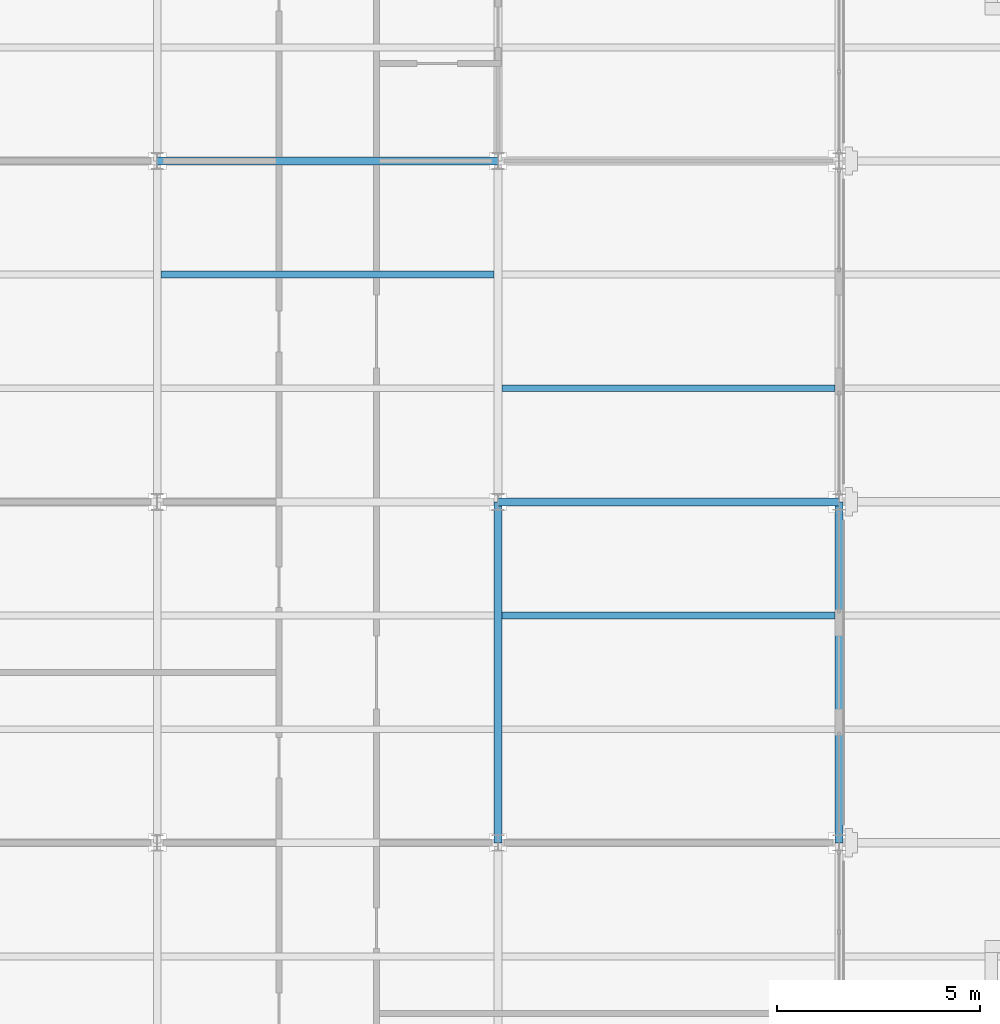
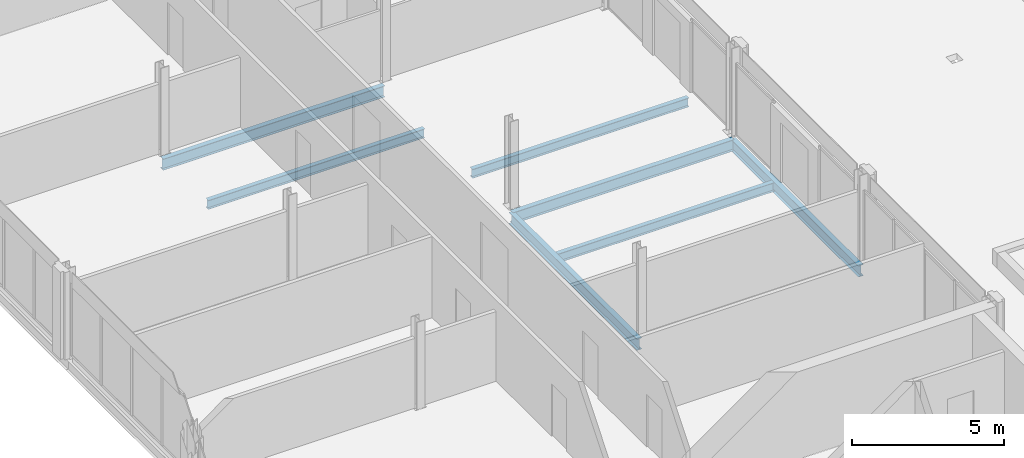
# One storey, part 15 of 32: 7 beams.
"""IFC4 building model written with IfcOpenShell, lengths in metres."""

import ifcopenshell
import ifcopenshell.guid

model = None  # the IFC model being written
_history = None  # IfcOwnerHistory: only IFC2X3 demands one
_inside = {}  # id of a spatial element -> (the spatial element, [elements in it])
_under = {}  # id of a project, library or spatial element -> (it, [spatial elements below it])
_declared = {}  # id of a project -> (the project, [libraries it declares])
_typed = {}  # id of a type object -> (the type object, [elements of that type])
_made_of = {}  # id of a material, layer set ... -> (it, [elements and type objects made of it])


def new_model(schema):
    """Start an empty IFC model of exactly this schema.

    Asked for "IFC4X3", IfcOpenShell would pick the latest addendum, in which some entities
    have other attributes; the version numbers below select the first issue.
    IFC2X3 requires an IfcOwnerHistory on every rooted entity: one is made here for all.
    """
    global model, _history
    if schema == "IFC4X3":
        model = ifcopenshell.file(schema_version=(4, 3, 0, 0))
    else:
        model = ifcopenshell.file(schema=schema)
    _inside.clear()
    _under.clear()
    _declared.clear()
    _typed.clear()
    _made_of.clear()
    _history = None
    if model.schema == "IFC2X3":
        org = make("IfcOrganization", Name="unknown")
        user = make(
            "IfcPersonAndOrganization",
            ThePerson=make("IfcPerson", FamilyName="unknown"),
            TheOrganization=org,
        )
        app = make(
            "IfcApplication",
            ApplicationDeveloper=org,
            Version="unknown",
            ApplicationFullName="unknown",
            ApplicationIdentifier="unknown",
        )
        _history = make(
            "IfcOwnerHistory",
            OwningUser=user,
            OwningApplication=app,
            ChangeAction="ADDED",
            CreationDate=0,
        )
    return model


def make(cls, **values):
    """One entity of the class cls with the attributes given. An attribute that is None is left unset."""
    return model.create_entity(
        cls, **{name: value for name, value in values.items() if value is not None}
    )


def rooted(cls, **values):
    """An entity with a GlobalId (a new one), such as an element, a storey or a relation."""
    return make(cls, GlobalId=ifcopenshell.guid.new(), OwnerHistory=_history, **values)


def si_unit(unit_type, name, prefix=None):
    """IfcSIUnit, for example si_unit("LENGTHUNIT", "METRE", prefix="MILLI")."""
    return make("IfcSIUnit", UnitType=unit_type, Prefix=prefix, Name=name)


def assignment(units):
    """IfcUnitAssignment: the units of a project."""
    return None if units is None else make("IfcUnitAssignment", Units=units)


def point(xyz):
    """IfcCartesianPoint."""
    return None if xyz is None else make("IfcCartesianPoint", Coordinates=xyz)


def direction(xyz):
    """IfcDirection."""
    return None if xyz is None else make("IfcDirection", DirectionRatios=xyz)


def frame(location, z_axis=None, x_axis=None):
    """IfcAxis2Placement3D, a coordinate frame: its origin and axes. An axis left out is left unset."""
    return make(
        "IfcAxis2Placement3D",
        Location=point(location),
        Axis=direction(z_axis),
        RefDirection=direction(x_axis),
    )


def frame_2d(location, x_axis=None):
    """IfcAxis2Placement2D, a coordinate frame in the plane: its origin and x axis."""
    return make(
        "IfcAxis2Placement2D", Location=point(location), RefDirection=direction(x_axis)
    )


def origin():
    """The frame at (0, 0, 0) with its axes left unset."""
    return frame((0.0, 0.0, 0.0))


def origin_2d():
    """The frame at (0, 0) in the plane with its x axis left unset."""
    return frame_2d((0.0, 0.0))


def place(relative_to, where):
    """IfcLocalPlacement: puts the frame where relative to a parent placement (None: the world)."""
    return make(
        "IfcLocalPlacement", PlacementRelTo=relative_to, RelativePlacement=where
    )


def context(
    kind, dimensions, precision=None, world=None, true_north=None, identifier=None
):
    """IfcGeometricRepresentationContext, for example the 3D "Model" context."""
    return make(
        "IfcGeometricRepresentationContext",
        ContextIdentifier=identifier,
        ContextType=kind,
        CoordinateSpaceDimension=dimensions,
        Precision=precision,
        WorldCoordinateSystem=world,
        TrueNorth=true_north,
    )


def subcontext(parent, identifier, kind, view, scale=None):
    """IfcGeometricRepresentationSubContext, for example "Body" below "Model"."""
    return make(
        "IfcGeometricRepresentationSubContext",
        ContextIdentifier=identifier,
        ContextType=kind,
        ParentContext=parent,
        TargetScale=scale,
        TargetView=view,
    )


def project(units=None, contexts=None):
    """IfcProject with its units and contexts."""
    return rooted(
        "IfcProject",
        Name="project",
        RepresentationContexts=contexts,
        UnitsInContext=assignment(units),
    )


def spatial(cls, under=None, at=None, **own):
    """A site, building, storey or space (cls), placed at a placement, below another one or the project."""
    s = rooted(cls, ObjectPlacement=at, **own)
    if under is not None:
        _under.setdefault(under.id(), (under, []))[1].append(s)
    return s


def profile(cls, at=None, kind="AREA", **sizes):
    """A parametric profile (cls). Its sizes go by their IFC names, for example OverallWidth=200.0."""
    return make(cls, ProfileType=kind, Position=at, **sizes)


def i_section(**sizes):
    """IfcIShapeProfileDef."""
    return profile("IfcIShapeProfileDef", **sizes)


def extrude(swept, where, along, depth):
    """IfcExtrudedAreaSolid: the profile swept, set in the frame where, extruded along a direction by depth."""
    return make(
        "IfcExtrudedAreaSolid",
        SweptArea=swept,
        Position=where,
        ExtrudedDirection=direction(along),
        Depth=depth,
    )


def shape(context_of_items, identifier, shape_type, items):
    """IfcShapeRepresentation: the items that make up one representation, for example the "Body"."""
    return make(
        "IfcShapeRepresentation",
        ContextOfItems=context_of_items,
        RepresentationIdentifier=identifier,
        RepresentationType=shape_type,
        Items=items,
    )


def material(Name=None, Category=None):
    """IfcMaterial."""
    return make("IfcMaterial", Name=Name, Category=Category)


def material_profile(
    of_material, cross_section, Name=None, Category=None, Priority=None
):
    """IfcMaterialProfile: a cross section and its material."""
    return make(
        "IfcMaterialProfile",
        Name=Name,
        Material=of_material,
        Profile=cross_section,
        Priority=Priority,
        Category=Category,
    )


def profile_set(profiles, Name=None, composite=None):
    """IfcMaterialProfileSet."""
    return make(
        "IfcMaterialProfileSet",
        Name=Name,
        MaterialProfiles=profiles,
        CompositeProfile=composite,
    )


def made_of(thing, what):
    """Note that an element or type object is made of a material, layer set ...; save() writes the relation."""
    if what is not None:
        _made_of.setdefault(what.id(), (what, []))[1].append(thing)
    return thing


def type_object(cls, material=None, **own):
    """A type object (cls), such as IfcWallType, which elements share."""
    return made_of(rooted(cls, **own), material)


def element(
    cls,
    number,
    at=None,
    inside=None,
    cuts=None,
    type_object=None,
    material=None,
    context=None,
    identifier="Body",
    shape_type=None,
    held_by="IfcProductDefinitionShape",
    body=None,
    shapes=None,
    **own,
):
    """One element of the class cls, such as IfcWall. Its Tag is "e" and its number.

    at: its placement. inside: the storey or other place that contains it. cuts: it is an
    opening in that element (IfcRelVoidsElement). A single representation is given by context,
    identifier, shape_type and body (its items); several are given by shapes. held_by: the class
    of the entity that holds the representations. save() writes the other relations.
    """
    e = rooted(cls, Tag="e%d" % number, ObjectPlacement=at, **own)
    if body is not None:
        shapes = [shape(context, identifier, shape_type, body)]
    if shapes is not None:
        e.Representation = make(held_by, Representations=shapes)
    if inside is not None:
        _inside.setdefault(inside.id(), (inside, []))[1].append(e)
    if cuts is not None:
        rooted(
            "IfcRelVoidsElement", RelatingBuildingElement=cuts, RelatedOpeningElement=e
        )
    if type_object is not None:
        _typed.setdefault(type_object.id(), (type_object, []))[1].append(e)
    return made_of(e, material)


def aggregate(whole, parts):
    """IfcRelAggregates: a whole, such as a stair, and the parts it consists of."""
    return rooted("IfcRelAggregates", RelatingObject=whole, RelatedObjects=parts)


def save(model, path):
    """Write the relations noted so far, then the file.

    IfcRelAggregates (storeys below a building ...), IfcRelContainedInSpatialStructure (elements
    in a storey), IfcRelDefinesByType, IfcRelAssociatesMaterial and IfcRelDeclares: one each for
    every whole, place, type object, material and project.
    """
    for whole, parts in _under.values():
        aggregate(whole, parts)
    for where, things in _inside.values():
        rooted(
            "IfcRelContainedInSpatialStructure",
            RelatedElements=things,
            RelatingStructure=where,
        )
    for kind, things in _typed.values():
        rooted("IfcRelDefinesByType", RelatedObjects=things, RelatingType=kind)
    for what, things in _made_of.values():
        rooted("IfcRelAssociatesMaterial", RelatedObjects=things, RelatingMaterial=what)
    for by, libraries in _declared.values():
        rooted("IfcRelDeclares", RelatingContext=by, RelatedDefinitions=libraries)
    model.write(path)


model = new_model("IFC4")

# Units and contexts
model_context = context("Model", 3, precision=1e-05, world=origin(), true_north=direction((0.0, 1.0)))
body_context = subcontext(model_context, "Body", "Model", "MODEL_VIEW")
ifc_project = project(units=[si_unit("LENGTHUNIT", "METRE"), si_unit("AREAUNIT", "SQUARE_METRE"), si_unit("VOLUMEUNIT", "CUBIC_METRE"), si_unit("PLANEANGLEUNIT", "RADIAN"), si_unit("MASSUNIT", "GRAM", prefix="KILO")], contexts=[model_context])

# Site, building, storey
site_placement = place(None, origin())
site = spatial("IfcSite", under=ifc_project, at=site_placement, CompositionType="ELEMENT")
building_placement = place(site_placement, origin())
building = spatial("IfcBuilding", under=site, at=building_placement, Name="Catenary Quay Ferry Terminal", CompositionType="ELEMENT")
storey_placement = place(building_placement, frame((0.0, 0.0, 17.10009765625)))
storey = spatial("IfcBuildingStorey", under=building, at=storey_placement, Name="L03", CompositionType="ELEMENT", Elevation=17.10009765625)

# Beams
ifc_material_1 = material(Name="Steel S355", Category="steel")
ifc_material_profile_1 = material_profile(ifc_material_1, i_section(OverallWidth=0.18994140625, OverallDepth=0.453369140625, WebThickness=0.008544921875, FlangeThickness=0.0126953125, at=origin_2d()), Name="UB 457x191x67")
ifc_profile_set_1 = profile_set([ifc_material_profile_1], Name="Steel S355")
beam_type_1 = type_object("IfcBeamType", Name="B1 UB 457x191x67", PredefinedType="BEAM", material=ifc_profile_set_1)
for number, where, z_axis, x_axis, name in (
    (1, (42.0, 184.800048828125, -0.47705078125), (1.0, 0.0, 0.0), (0.0, 1.0, 0.0), "Beam B1-006"),
    (2, (33.60009765625, 193.199951171875, -0.47705078125), (1.0, 0.0, 0.0), (0.0, 1.0, 0.0), "Beam B1-008"),
):
    element("IfcBeam", number, at=place(storey_placement, frame(where, z_axis=z_axis, x_axis=x_axis)), inside=storey, type_object=beam_type_1, Name=name, PredefinedType="BEAM", context=body_context, shape_type="SweptSolid", body=[
        extrude(i_section(OverallWidth=0.18994140625, OverallDepth=0.453369140625, WebThickness=0.008544921875, FlangeThickness=0.0126953125, at=origin_2d()), origin(), (0.0, 0.0, 1.0), 8.39990234375),
    ])
for number, where, z_axis, x_axis, name in (
    (3, (50.39990234375, 176.39990234375, -0.47705078125), (0.0, 1.0, 0.0), (-1.0, 0.0, 0.0), "Beam B1-018"),
    (4, (42.0, 176.39990234375, -0.47705078125), (0.0, 1.0, 0.0), (-1.0, 0.0, 0.0), "Beam B1-027"),
):
    element("IfcBeam", number, at=place(storey_placement, frame(where, z_axis=z_axis, x_axis=x_axis)), inside=storey, type_object=beam_type_1, Name=name, PredefinedType="BEAM", context=body_context, shape_type="SweptSolid", body=[
        extrude(i_section(OverallWidth=0.18994140625, OverallDepth=0.453369140625, WebThickness=0.008544921875, FlangeThickness=0.0126953125, at=origin_2d()), origin(), (0.0, 0.0, 1.0), 8.400146484375),
    ])
ifc_material_2 = material(Name="Steel S355", Category="steel")
ifc_material_profile_2 = material_profile(ifc_material_2, i_section(OverallWidth=0.169921875, OverallDepth=0.360107421875, WebThickness=0.008056640625, FlangeThickness=0.0126953125, at=origin_2d()), Name="IPE 360")
ifc_profile_set_2 = profile_set([ifc_material_profile_2], Name="Steel S355")
beam_type_2 = type_object("IfcBeamType", Name="B7 IPE 360", PredefinedType="BEAM", material=ifc_profile_set_2)
for number, where, z_axis, x_axis, name in (
    (5, (42.094970703125, 182.0, -0.43017578125), (1.0, 0.0, 0.0), (0.0, 1.0, 0.0), "Beam B7-036"),
    (6, (42.094970703125, 187.60009765625, -0.43017578125), (1.0, 0.0, 0.0), (0.0, 1.0, 0.0), "Beam B7-039"),
    (7, (33.695068359375, 190.39990234375, -0.43017578125), (1.0, 0.0, 0.0), (0.0, 1.0, 0.0), "Beam B7-041"),
):
    element("IfcBeam", number, at=place(storey_placement, frame(where, z_axis=z_axis, x_axis=x_axis)), inside=storey, type_object=beam_type_2, Name=name, PredefinedType="BEAM", context=body_context, shape_type="SweptSolid", body=[
        extrude(i_section(OverallWidth=0.169921875, OverallDepth=0.360107421875, WebThickness=0.008056640625, FlangeThickness=0.0126953125, at=origin_2d()), origin(), (0.0, 0.0, 1.0), 8.2099609375),
    ])

save(model, "model.ifc")
